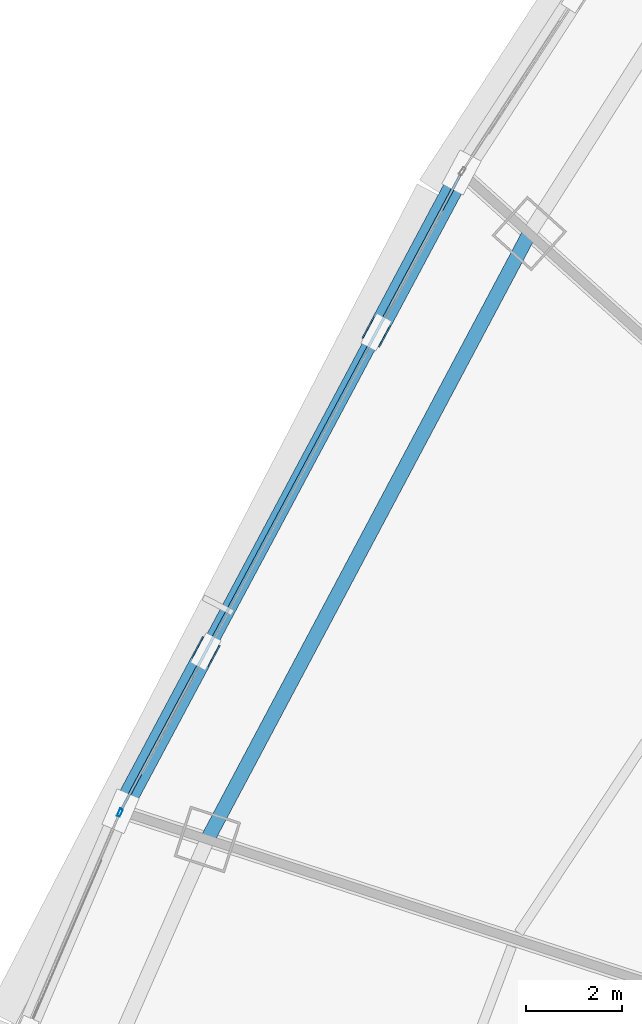
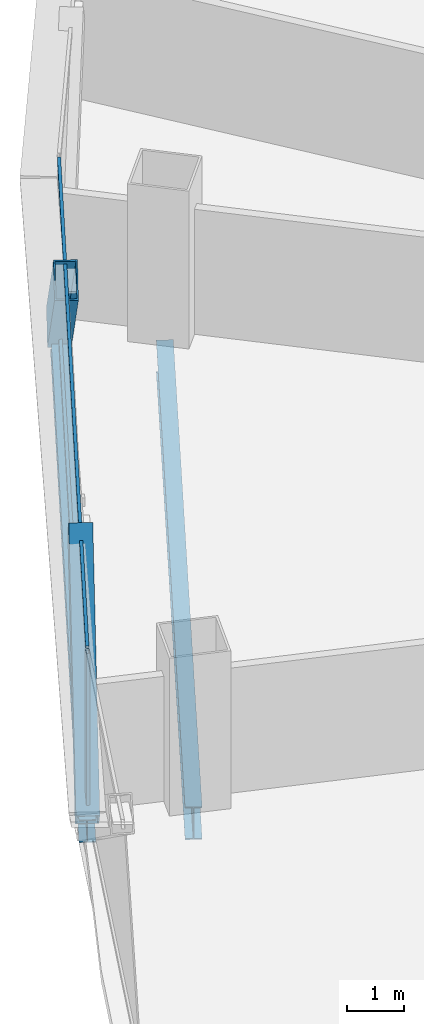
# One storey, part 13 of 38: 5 members, 2 beams, 2 elements without a shape of their own.
"""IFC4 building model written with IfcOpenShell, lengths in metres."""

from ifc_helpers import new_model, si_unit, direction, frame, origin, origin_2d, place, context, subcontext, project, spatial, hollow_rectangle, i_section, extrude, source, transform, mapped, material, layer, layer_set, material_profile, profile_set, type_object, element, aggregate, save


model = new_model("IFC4")

# Units and contexts
model_context = context("Model", 3, precision=1e-05, world=origin(), true_north=direction((0.0, 1.0)))
body_context = subcontext(model_context, "Body", "Model", "MODEL_VIEW")
ifc_project = project(units=[si_unit("LENGTHUNIT", "METRE"), si_unit("AREAUNIT", "SQUARE_METRE"), si_unit("VOLUMEUNIT", "CUBIC_METRE"), si_unit("PLANEANGLEUNIT", "RADIAN"), si_unit("MASSUNIT", "GRAM", prefix="KILO"), si_unit("THERMODYNAMICTEMPERATUREUNIT", "KELVIN"), si_unit("POWERUNIT", "WATT")], contexts=[model_context])

# Site, building, storey
site_placement = place(None, origin())
site = spatial("IfcSite", under=ifc_project, at=site_placement, CompositionType="ELEMENT")
building_placement = place(site_placement, origin())
building = spatial("IfcBuilding", under=site, at=building_placement, Name="Yunzhuo Pagoda Commons", CompositionType="ELEMENT")
storey_placement = place(building_placement, frame((0.0, 0.0, 34.030029296875)))
storey = spatial("IfcBuildingStorey", under=building, at=storey_placement, Name="L08", CompositionType="ELEMENT", Elevation=34.030029296875)

# Beams
ifc_material_1 = material(Name="Structural steel Q355B", Category="steel")
ifc_material_profile_1 = material_profile(ifc_material_1, i_section(OverallWidth=0.300048828125, OverallDepth=0.699951171875, WebThickness=0.012939453125, FlangeThickness=0.02392578125, at=origin_2d()), Name="Structural steel Q355B")
ifc_profile_set_1 = profile_set([ifc_material_profile_1], Name="Structural steel Q355B")
beam_type_1 = type_object("IfcBeamType", Name="B-RG1 Beam HN 700x300x13x24", PredefinedType="BEAM", material=ifc_profile_set_1)
shared_shape_1 = source(origin(), body_context, "Body", "SweptSolid", [
    extrude(i_section(OverallWidth=0.300048828125, OverallDepth=0.699951171875, WebThickness=0.012939453125, FlangeThickness=0.02392578125, at=origin_2d()), origin(), (0.0, 0.0, 1.0), 14.25390625),
])
beam_1_placement = place(storey_placement, frame((22.351318359375, 56.79443359375, -0.610107421875), z_axis=(-0.469118073628, -0.883135455633, 0.0), x_axis=(0.883135455633, -0.469118073628, 0.0)))
element("IfcBeam", 1, at=beam_1_placement, inside=storey, type_object=beam_type_1, Name="L08 column-ring beam 10", PredefinedType="BEAM", context=body_context, shape_type="MappedRepresentation", body=[
    mapped(shared_shape_1, transform((0.0, 0.0, 0.0), scale=1.0)),
])
ifc_material_profile_2 = material_profile(ifc_material_1, i_section(OverallWidth=0.300048828125, OverallDepth=0.488037109375, WebThickness=0.010986328125, FlangeThickness=0.01806640625, at=origin_2d()), Name="Structural steel Q355B")
ifc_profile_set_2 = profile_set([ifc_material_profile_2], Name="Structural steel Q355B")
beam_type_2 = type_object("IfcBeamType", Name="B-SP1 Beam HM 488x300x11x18", PredefinedType="BEAM", material=ifc_profile_set_2)
shared_shape_2 = source(origin(), body_context, "Body", "SweptSolid", [
    extrude(i_section(OverallWidth=0.300048828125, OverallDepth=0.488037109375, WebThickness=0.010986328125, FlangeThickness=0.01806640625, at=origin_2d()), origin(), (0.0, 0.0, 1.0), 15.041748046875),
])
beam_2_placement = place(storey_placement, frame((20.94384765625, 58.061767578125, -0.504150390625), z_axis=(-0.470990872098, -0.882138083522, 0.0), x_axis=(0.882138083522, -0.470990872098, 0.0)))
element("IfcBeam", 2, at=beam_2_placement, inside=storey, type_object=beam_type_2, Name="L08 facade edge spandrel beam F3.2", PredefinedType="BEAM", context=body_context, shape_type="MappedRepresentation", body=[
    mapped(shared_shape_2, transform((0.0, 0.0, 0.0), scale=1.0)),
])

# Members
ifc_material_2 = material(Name="Structural steel Q420B", Category="steel")
ifc_material_profile_3 = material_profile(ifc_material_2, hollow_rectangle(XDim=0.419921875, YDim=0.719970703125, WallThickness=0.028076171875, at=origin_2d()), Name="Structural steel Q420B")
ifc_profile_set_3 = profile_set([ifc_material_profile_3], Name="Structural steel Q420B")
member_type_1 = type_object("IfcMemberType", Name="M-DL1 Brace BOX 720x420x28", PredefinedType="BRACE", material=ifc_profile_set_3)
shared_shape_3 = source(origin(), body_context, "Body", "SweptSolid", [
    extrude(hollow_rectangle(XDim=0.419921875, YDim=0.719970703125, WallThickness=0.028076171875, at=origin_2d()), origin(), (0.0, 0.0, 1.0), 5.226318359375),
])
member_1_placement = place(storey_placement, frame((13.859375, 44.79296875, -0.259765625), z_axis=(0.338862922624, 0.63470230627, 0.694496149799), x_axis=(-0.882147970332, 0.47097235422, 0.0)))
element("IfcMember", 3, at=member_1_placement, inside=storey, type_object=member_type_1, Name="L08 facade diamond brace F3.2R", PredefinedType="BRACE", context=body_context, shape_type="MappedRepresentation", body=[
    mapped(shared_shape_3, transform((0.0, 0.0, 0.0), scale=1.0)),
])
shared_shape_4 = source(origin(), body_context, "Body", "SweptSolid", [
    extrude(hollow_rectangle(XDim=0.419921875, YDim=0.719970703125, WallThickness=0.028076171875, at=origin_2d()), origin(), (0.0, 0.0, 1.0), 5.2265625),
])
member_2_placement = place(storey_placement, frame((20.94384765625, 58.061767578125, -0.259765625), z_axis=(-0.338894223581, -0.634720153001, 0.694464565401), x_axis=(0.882135398072, -0.470995901753, 0.0)))
element("IfcMember", 4, at=member_2_placement, inside=storey, type_object=member_type_1, Name="L08 facade diamond brace F3.2L", PredefinedType="BRACE", context=body_context, shape_type="MappedRepresentation", body=[
    mapped(shared_shape_4, transform((0.0, 0.0, 0.0), scale=1.0)),
])

# Curtain wall, members
ifc_material_3 = material(Name="Anodized aluminium 6063-T6", Category="aluminium")
ifc_layer = layer(ifc_material_3, 0.1650390625)
ifc_layer_set = layer_set([ifc_layer], Name="Anodized aluminium 6063-T6")
curtain_wall_type = type_object("IfcCurtainWallType", Name="CW-LOW Low-Zone Ribbon Curtain Wall", PredefinedType="NOTDEFINED", material=ifc_layer_set)
curtain_wall_1_placement = place(storey_placement, origin())
curtain_wall_1 = element("IfcCurtainWall", 5, at=curtain_wall_1_placement, inside=storey, type_object=curtain_wall_type, Name="L08 curtain wall CW-L08-F3B3", PredefinedType="NOTDEFINED")
ifc_material_profile_4 = material_profile(ifc_material_3, hollow_rectangle(XDim=0.06005859375, YDim=0.139892578125, WallThickness=0.00341796875, at=origin_2d()), Name="Anodized aluminium 6063-T6")
ifc_profile_set_4 = profile_set([ifc_material_profile_4], Name="Anodized aluminium 6063-T6")
member_type_2 = type_object("IfcMemberType", Name="CW-LOW-T Transom RHS 140x60x3.5", PredefinedType="USERDEFINED", material=ifc_profile_set_4)
shared_shape_5 = source(origin(), body_context, "Body", "SweptSolid", [
    extrude(hollow_rectangle(XDim=0.06005859375, YDim=0.139892578125, WallThickness=0.00341796875, at=origin_2d()), origin(), (0.0, 0.0, 1.0), 14.911865234375),
])
member_3_placement = place(storey_placement, frame((20.9130859375, 58.004638671875, 0.030029296875), z_axis=(-0.470983333873, -0.882142108287, 0.0), x_axis=(0.882142108287, -0.470983333873, 0.0)))
member_3 = element("IfcMember", 6, at=member_3_placement, type_object=member_type_2, Name="CW transom 1.1", ObjectType="TRANSOM", PredefinedType="USERDEFINED", context=body_context, shape_type="MappedRepresentation", body=[
    mapped(shared_shape_5, transform((0.0, 0.0, 0.0), scale=1.0)),
])
member_4_placement = place(storey_placement, frame((20.9130859375, 58.004638671875, 3.340087890625), z_axis=(-0.470983333873, -0.882142108287, 0.0), x_axis=(0.882142108287, -0.470983333873, 0.0)))
member_4 = element("IfcMember", 7, at=member_4_placement, type_object=member_type_2, Name="CW transom 1.2", ObjectType="TRANSOM", PredefinedType="USERDEFINED", context=body_context, shape_type="MappedRepresentation", body=[
    mapped(shared_shape_5, transform((0.0, 0.0, 0.0), scale=1.0)),
])
aggregate(curtain_wall_1, [member_3, member_4])

# Curtain wall, member
curtain_wall_2_placement = place(storey_placement, origin())
curtain_wall_2 = element("IfcCurtainWall", 8, at=curtain_wall_2_placement, inside=storey, type_object=curtain_wall_type, Name="L08 curtain wall CW-L08-F3B4", PredefinedType="NOTDEFINED")
ifc_material_profile_5 = material_profile(ifc_material_3, hollow_rectangle(XDim=0.06494140625, YDim=0.1650390625, WallThickness=0.00390625, at=origin_2d()), Name="Anodized aluminium 6063-T6")
ifc_profile_set_5 = profile_set([ifc_material_profile_5], Name="Anodized aluminium 6063-T6")
member_type_3 = type_object("IfcMemberType", Name="CW-LOW-M Mullion RHS 165x65x4", PredefinedType="MULLION", material=ifc_profile_set_5)
shared_shape_6 = source(origin(), body_context, "Body", "SweptSolid", [
    extrude(hollow_rectangle(XDim=0.06494140625, YDim=0.1650390625, WallThickness=0.00390625, at=origin_2d()), origin(), (0.0, 0.0, 1.0), 3.369873046875),
])
member_5_placement = place(storey_placement, frame((13.8466796875, 44.76318359375, 0.0), z_axis=(0.0, 0.0, 1.0), x_axis=(0.918745212535, -0.394850901535, 0.0)))
member_5 = element("IfcMember", 9, at=member_5_placement, type_object=member_type_3, Name="CW mullion 1", PredefinedType="MULLION", context=body_context, shape_type="MappedRepresentation", body=[
    mapped(shared_shape_6, transform((0.0, 0.0, 0.0), scale=1.0)),
])
aggregate(curtain_wall_2, [member_5])

save(model, "model.ifc")
